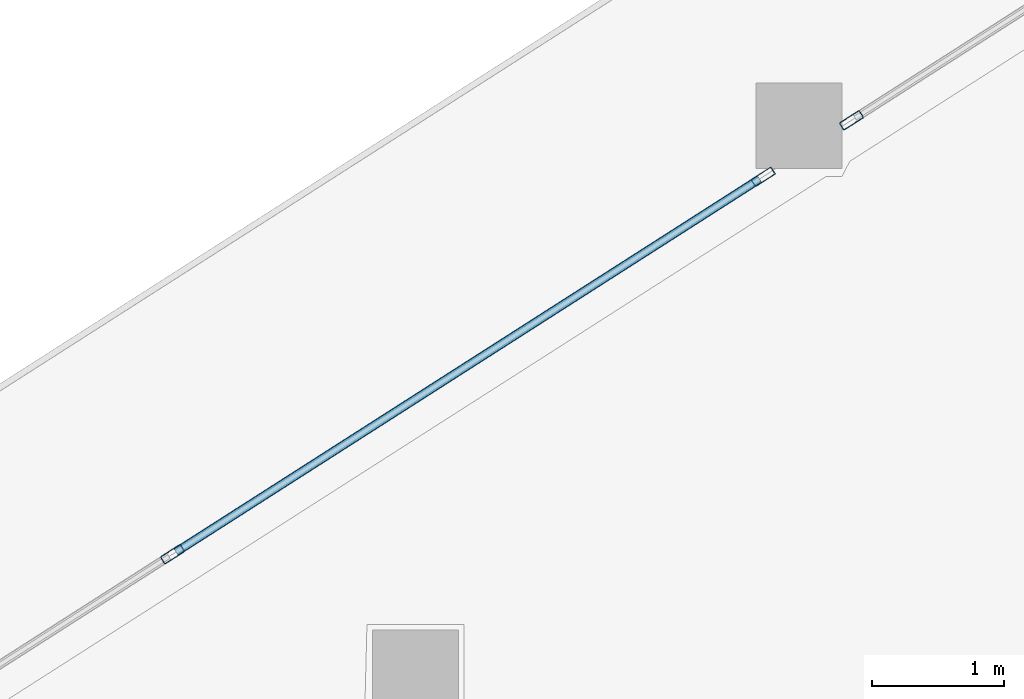
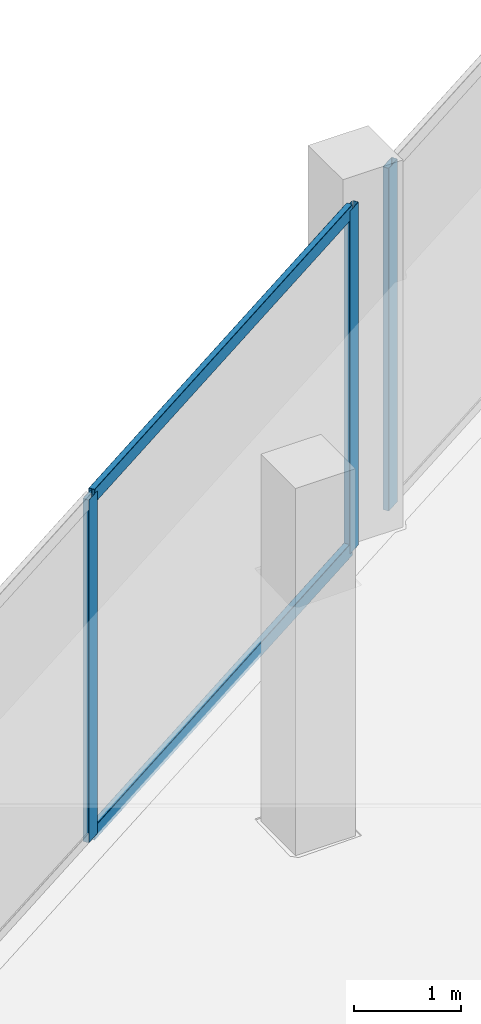
# One storey, part 20 of 42: 5 members, 2 elements without a shape of their own.
"""IFC4 building model written with IfcOpenShell, lengths in metres."""

from ifc_helpers import new_model, si_unit, direction, frame, origin, origin_2d, place, context, subcontext, project, spatial, hollow_rectangle, extrude, material, layer, layer_set, material_profile, profile_set, type_object, element, aggregate, save


model = new_model("IFC4")

# Units and contexts
model_context = context("Model", 3, precision=1e-05, world=origin(), true_north=direction((0.0, 1.0)))
body_context = subcontext(model_context, "Body", "Model", "MODEL_VIEW")
ifc_project = project(units=[si_unit("LENGTHUNIT", "METRE"), si_unit("AREAUNIT", "SQUARE_METRE"), si_unit("VOLUMEUNIT", "CUBIC_METRE"), si_unit("PLANEANGLEUNIT", "RADIAN"), si_unit("MASSUNIT", "GRAM", prefix="KILO")], contexts=[model_context])

# Site, building, storey
site_placement = place(None, origin())
site = spatial("IfcSite", under=ifc_project, at=site_placement, CompositionType="ELEMENT")
building_placement = place(site_placement, origin())
building = spatial("IfcBuilding", under=site, at=building_placement, Name="Qorvath Tower", CompositionType="ELEMENT")
storey_placement = place(building_placement, frame((0.0, 0.0, 32.39990234375)))
storey = spatial("IfcBuildingStorey", under=building, at=storey_placement, Name="L06", CompositionType="ELEMENT", Elevation=32.39990234375)

# Curtain wall, member
ifc_material_1 = material(Name="Anodised aluminium and triple low-E glass", Category="aluminium")
ifc_layer = layer(ifc_material_1, 0.179931640625)
ifc_layer_set = layer_set([ifc_layer], Name="CW-SYS-2")
curtain_wall_type = type_object("IfcCurtainWallType", Name="CW-SYS-2", PredefinedType="NOTDEFINED", material=ifc_layer_set)
curtain_wall_1_placement = place(storey_placement, origin())
curtain_wall_1 = element("IfcCurtainWall", 1, at=curtain_wall_1_placement, inside=storey, type_object=curtain_wall_type, Name="Curtain Wall CW-2 CW-T-L06-16.1", PredefinedType="NOTDEFINED")
ifc_material_2 = material(Name="Anodised aluminium 6063-T6", Category="aluminium")
ifc_material_profile_1 = material_profile(ifc_material_2, hollow_rectangle(XDim=0.06494140625, YDim=0.179931640625, WallThickness=0.00341796875, InnerFilletRadius=0.00341796875, OuterFilletRadius=0.007080078125, at=origin_2d()), Name="CWM 180x65")
ifc_profile_set_1 = profile_set([ifc_material_profile_1], Name="Anodised aluminium 6063-T6")
member_type_1 = type_object("IfcMemberType", Name="CWM-180", PredefinedType="MULLION", material=ifc_profile_set_1)
member_1_placement = place(storey_placement, frame((-21.73388671875, 29.24609375, 0.0), z_axis=(0.0, 0.0, 1.0), x_axis=(0.538538747669, -0.842600746059, 0.0)))
member_1 = element("IfcMember", 2, at=member_1_placement, type_object=member_type_1, Name="CW-2 mullion 3", PredefinedType="MULLION", context=body_context, shape_type="SweptSolid", body=[
    extrude(hollow_rectangle(XDim=0.06494140625, YDim=0.179931640625, WallThickness=0.00341796875, InnerFilletRadius=0.00341796875, OuterFilletRadius=0.007080078125, at=origin_2d()), origin(), (0.0, 0.0, 1.0), 3.920166015625),
])
aggregate(curtain_wall_1, [member_1])

# Curtain wall, members
curtain_wall_2_placement = place(storey_placement, origin())
curtain_wall_2 = element("IfcCurtainWall", 3, at=curtain_wall_2_placement, inside=storey, type_object=curtain_wall_type, Name="Curtain Wall CW-2 CW-T-L06-16.2", PredefinedType="NOTDEFINED")
member_2_placement = place(storey_placement, frame((-22.4033203125, 28.818115234375, 0.0), z_axis=(0.0, 0.0, 1.0), x_axis=(0.538534725955, -0.842603316479, 0.0)))
member_2 = element("IfcMember", 4, at=member_2_placement, type_object=member_type_1, Name="CW-2 mullion 1", PredefinedType="MULLION", context=body_context, shape_type="SweptSolid", body=[
    extrude(hollow_rectangle(XDim=0.06494140625, YDim=0.179931640625, WallThickness=0.00341796875, InnerFilletRadius=0.00341796875, OuterFilletRadius=0.007080078125, at=origin_2d()), origin(), (0.0, 0.0, 1.0), 3.920166015625),
])
member_3_placement = place(storey_placement, frame((-26.878173828125, 25.958251953125, 0.0), z_axis=(0.0, 0.0, 1.0), x_axis=(0.538534725955, -0.842603316479, 0.0)))
member_3 = element("IfcMember", 5, at=member_3_placement, type_object=member_type_1, Name="CW-2 mullion 2", PredefinedType="MULLION", context=body_context, shape_type="SweptSolid", body=[
    extrude(hollow_rectangle(XDim=0.06494140625, YDim=0.179931640625, WallThickness=0.00341796875, InnerFilletRadius=0.00341796875, OuterFilletRadius=0.007080078125, at=origin_2d()), origin(), (0.0, 0.0, 1.0), 3.920166015625),
])
ifc_material_3 = material(Name="Anodised aluminium 6063-T6", Category="aluminium")
ifc_material_profile_2 = material_profile(ifc_material_3, hollow_rectangle(XDim=0.06494140625, YDim=0.159912109375, WallThickness=0.00341796875, InnerFilletRadius=0.00341796875, OuterFilletRadius=0.007080078125, at=origin_2d()), Name="CWT 160x65")
ifc_profile_set_2 = profile_set([ifc_material_profile_2], Name="Anodised aluminium 6063-T6")
member_type_2 = type_object("IfcMemberType", Name="CWT-160", PredefinedType="USERDEFINED", material=ifc_profile_set_2)
member_4_placement = place(storey_placement, frame((-22.4306640625, 28.80078125, 0.032470703125), z_axis=(-0.842592429827, -0.53855175907, 0.0), x_axis=(0.53855175907, -0.842592429827, 0.0)))
member_4 = element("IfcMember", 6, at=member_4_placement, type_object=member_type_2, Name="CW-2 transom 1.1", ObjectType="TRANSOM", PredefinedType="USERDEFINED", context=body_context, shape_type="SweptSolid", body=[
    extrude(hollow_rectangle(XDim=0.06494140625, YDim=0.159912109375, WallThickness=0.00341796875, InnerFilletRadius=0.00341796875, OuterFilletRadius=0.007080078125, at=origin_2d()), origin(), (0.0, 0.0, 1.0), 5.245849609375),
])
member_5_placement = place(storey_placement, frame((-22.4306640625, 28.80078125, 3.8876953125), z_axis=(-0.842592429827, -0.53855175907, 0.0), x_axis=(0.53855175907, -0.842592429827, 0.0)))
member_5 = element("IfcMember", 7, at=member_5_placement, type_object=member_type_2, Name="CW-2 transom 1.2", ObjectType="TRANSOM", PredefinedType="USERDEFINED", context=body_context, shape_type="SweptSolid", body=[
    extrude(hollow_rectangle(XDim=0.06494140625, YDim=0.159912109375, WallThickness=0.00341796875, InnerFilletRadius=0.00341796875, OuterFilletRadius=0.007080078125, at=origin_2d()), origin(), (0.0, 0.0, 1.0), 5.245849609375),
])
aggregate(curtain_wall_2, [member_2, member_3, member_4, member_5])

save(model, "model.ifc")
